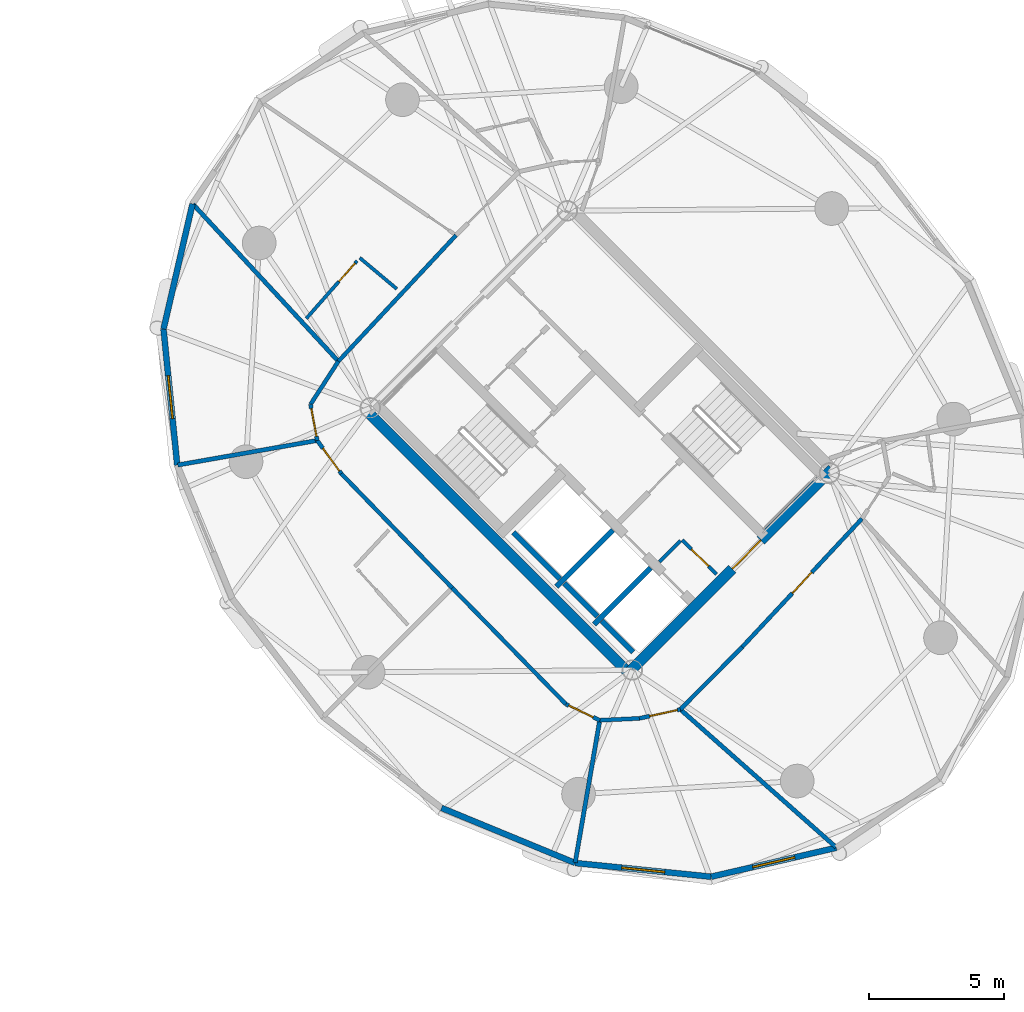
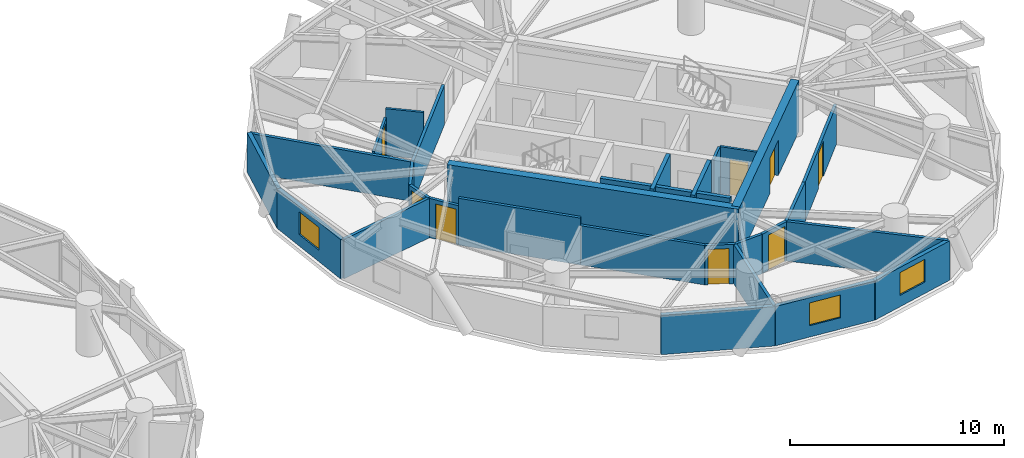
# One storey, part 13 of 18: 31 walls, 8 doors, 3 windows, 11 openings.
"""IFC4 building model written with IfcOpenShell, lengths in metres."""

from ifc_helpers import new_model, si_unit, direction, frame, frame_2d, origin, place, context, subcontext, project, spatial, rectangle, extrude, source, transform, mapped, material, layer, layer_set, type_object, element, fill, save


model = new_model("IFC4")

# Units and contexts
model_context = context("Model", 3, precision=1e-05, world=origin(), true_north=direction((0.0, 1.0)))
body_context = subcontext(model_context, "Body", "Model", "MODEL_VIEW")
ifc_project = project(units=[si_unit("LENGTHUNIT", "METRE"), si_unit("AREAUNIT", "SQUARE_METRE"), si_unit("VOLUMEUNIT", "CUBIC_METRE"), si_unit("PLANEANGLEUNIT", "RADIAN"), si_unit("MASSUNIT", "GRAM", prefix="KILO")], contexts=[model_context])

# Site, building, storey
site_placement = place(None, origin())
site = spatial("IfcSite", under=ifc_project, at=site_placement, CompositionType="ELEMENT")
building_placement = place(site_placement, origin())
building = spatial("IfcBuilding", under=site, at=building_placement, Name="Cununo Teusaquillo Station Towers", CompositionType="ELEMENT")
storey_placement = place(building_placement, frame((0.0, 0.0, 157.419921875)))
storey = spatial("IfcBuildingStorey", under=building, at=storey_placement, Name="L49", CompositionType="ELEMENT", Elevation=157.419921875)

# Walls
ifc_material_1 = material(Name="Concrete C50/60", Category="concrete")
ifc_layer_1 = layer(ifc_material_1, 0.199951171875)
ifc_layer_set_1 = layer_set([ifc_layer_1], Name="Concrete C50/60")
wall_type_1 = type_object("IfcWallType", Name="WL-CORE-200", PredefinedType="SHEAR", material=ifc_layer_set_1)
wall_1_placement = place(storey_placement, frame((55.8876953125, 19.0693359375, 0.0), z_axis=(0.0, 0.0, 1.0), x_axis=(0.707106781187, 0.707106781187, 0.0)))
element("IfcWall", 1, at=wall_1_placement, inside=storey, type_object=wall_type_1, Name="L49 Tower B Firefighting Lift Shaft South Shear Wall", PredefinedType="SHEAR", context=body_context, shape_type="SweptSolid", body=[
    extrude(rectangle(XDim=2.969970703125, YDim=0.199951171875, at=frame_2d((1.48486328125, 0.0))), origin(), (0.0, 0.0, 1.0), 2.91015625),
])
wall_2_placement = place(storey_placement, frame((56.01513671875, 19.366455078125, 0.0), z_axis=(0.0, 0.0, 1.0), x_axis=(-0.707106781187, 0.707106781187, 0.0)))
element("IfcWall", 2, at=wall_2_placement, inside=storey, type_object=wall_type_1, Name="L49 Tower B Firefighting Lift Shaft Rear Shear Wall", PredefinedType="SHEAR", context=body_context, shape_type="SweptSolid", body=[
    extrude(rectangle(XDim=2.43994140625, YDim=0.199951171875, at=frame_2d((1.219970703125, 0.0))), origin(), (0.0, 0.0, 1.0), 2.91015625),
])
wall_3_placement = place(storey_placement, frame((57.2841796875, 17.6728515625, 0.0), z_axis=(0.0, 0.0, 1.0), x_axis=(0.707147878904, 0.70706568108, 0.0)))
element("IfcWall", 3, at=wall_3_placement, inside=storey, type_object=wall_type_1, Name="L49 Tower B High-Rise Lift Hoistway Divider Shear Wall", PredefinedType="SHEAR", context=body_context, shape_type="SweptSolid", body=[
    extrude(rectangle(XDim=2.97021484375, YDim=0.199951171875, at=frame_2d((1.485107421875, 0.0))), origin(), (0.0, 0.0, 1.0), 2.91015625),
])
wall_4_placement = place(storey_placement, frame((57.41162109375, 17.969970703125, 0.0), z_axis=(0.0, 0.0, 1.0), x_axis=(-0.707106781187, 0.707106781187, 0.0)))
element("IfcWall", 4, at=wall_4_placement, inside=storey, type_object=wall_type_1, Name="L49 Tower B High-Rise Lift 2 Shaft Rear Shear Wall", PredefinedType="SHEAR", context=body_context, shape_type="SweptSolid", body=[
    extrude(rectangle(XDim=1.73486328125, YDim=0.199951171875, at=frame_2d((0.867431640625, 0.0))), origin(), (0.0, 0.0, 1.0), 2.91015625),
])
wall_5_placement = place(storey_placement, frame((58.7373046875, 16.64404296875, 0.0), z_axis=(0.0, 0.0, 1.0), x_axis=(-0.707032117043, 0.707181437447, 0.0)))
element("IfcWall", 5, at=wall_5_placement, inside=storey, type_object=wall_type_1, Name="L49 Tower B High-Rise Lift 1 Shaft Rear Shear Wall", PredefinedType="SHEAR", context=body_context, shape_type="SweptSolid", body=[
    extrude(rectangle(XDim=1.635009765625, YDim=0.199951171875, at=frame_2d((0.8173828125, 0.0))), origin(), (0.0, 0.0, 1.0), 2.91015625),
])
ifc_material_2 = material(Name="Concrete C50/60", Category="concrete")
ifc_layer_2 = layer(ifc_material_2, 0.39990234375)
ifc_layer_set_2 = layer_set([ifc_layer_2], Name="Concrete C50/60")
wall_type_2 = type_object("IfcWallType", Name="WL-CORE-400", PredefinedType="SHEAR", material=ifc_layer_set_2)
wall_6_placement = place(storey_placement, frame((58.7021484375, 15.73193359375, 0.0), z_axis=(0.0, 0.0, 1.0), x_axis=(-0.707106781187, 0.707106781187, 0.0)))
element("IfcWall", 6, at=wall_6_placement, inside=storey, type_object=wall_type_2, Name="L49 Tower B Core Shear Wall W", PredefinedType="SHEAR", context=body_context, shape_type="SweptSolid", body=[
    extrude(rectangle(XDim=14.10009765625, YDim=0.39990234375, at=frame_2d((7.050048828125, 0.0))), origin(), (0.0, 0.0, 1.0), 2.91015625),
])

# Wall, opening, door
wall_7_placement = place(storey_placement, frame((58.560791015625, 15.873291015625, 0.0), z_axis=(0.0, 0.0, 1.0), x_axis=(0.707106781187, 0.707106781187, 0.0)))
wall_7 = element("IfcWall", 7, at=wall_7_placement, inside=storey, type_object=wall_type_2, Name="L49 Tower B Core Shear Wall S", PredefinedType="SHEAR", context=body_context, shape_type="SweptSolid", body=[
    extrude(rectangle(XDim=10.69970703125, YDim=0.39990234375, at=frame_2d((5.349853515625, 0.0))), origin(), (0.0, 0.0, 1.0), 2.91015625),
])
shared_shape_1 = source(origin(), body_context, "Body", "SweptSolid", [
    extrude(rectangle(XDim=1.5, YDim=2.02001953125, at=frame_2d((0.75, 1.010009765625))), frame((0.0, 0.2099609375, 0.0), z_axis=(0.0, -1.0, 0.0), x_axis=(1.0, 0.0, 0.0)), (0.0, 0.0, 1.0), 0.419921875),
])
opening_1_placement = place(wall_7_placement, frame((5.449951171875, 0.0, 0.0)))
opening_1 = element("IfcOpeningElement", 8, at=opening_1_placement, cuts=wall_7, Name="Opening D-LB1", PredefinedType="OPENING", context=body_context, shape_type="MappedRepresentation", body=[
    mapped(shared_shape_1, transform((0.0, 0.0, 0.0), x_axis=(1.0, 0.0, 0.0), y_axis=(0.0, 1.0, 0.0), z_axis=(0.0, 0.0, 1.0), scale=1.0)),
])
ifc_material_3 = material(Name="Galvanised fire-rated hollow steel door assembly", Category="steel")
door_type_1 = type_object("IfcDoorType", Name="DR-LOBBY-1500", OperationType="DOUBLE_DOOR_SINGLE_SWING", PredefinedType="DOOR", material=ifc_material_3)
shared_shape_2 = source(origin(), body_context, "Body", "SweptSolid", [
    extrude(rectangle(XDim=1.5, YDim=2.02001953125, at=frame_2d((0.75, 1.010009765625))), frame((0.0, 0.02490234375, 0.0), z_axis=(0.0, -1.0, 0.0), x_axis=(1.0, 0.0, 0.0)), (0.0, 0.0, 1.0), 0.050048828125),
])
door_1_placement = place(opening_1_placement, origin())
door_1 = element("IfcDoor", 9, at=door_1_placement, inside=storey, type_object=door_type_1, Name="L49 Tower B South Core Lift Lobby Door", OperationType="DOUBLE_DOOR_SINGLE_SWING", OverallHeight=2.02001953125, OverallWidth=1.5, PredefinedType="DOOR", context=body_context, shape_type="MappedRepresentation", body=[
    mapped(shared_shape_2, transform((0.0, 0.0, 0.0), x_axis=(1.0, 0.0, 0.0), y_axis=(0.0, 1.0, 0.0), z_axis=(0.0, 0.0, 1.0), scale=1.0)),
])
fill(opening_1, door_1)

# Wall
ifc_material_4 = material(Name="Precast concrete C40/50", Category="concrete")
ifc_layer_3 = layer(ifc_material_4, 0.219970703125)
ifc_layer_set_3 = layer_set([ifc_layer_3], Name="Precast concrete C40/50")
wall_type_3 = type_object("IfcWallType", Name="WL-EXT-220", PredefinedType="SOLIDWALL", material=ifc_layer_set_3)
wall_8_placement = place(storey_placement, frame((41.3017578125, 28.6328125, 0.0), z_axis=(0.0, 0.0, 1.0), x_axis=(0.225659540039, 0.974206226622, 0.0)))
element("IfcWall", 10, at=wall_8_placement, inside=storey, type_object=wall_type_3, Name="L49 Tower B Exterior Facade Wall C06", PredefinedType="SOLIDWALL", context=body_context, shape_type="SweptSolid", body=[
    extrude(rectangle(XDim=4.76904296875, YDim=0.219970703125, at=frame_2d((2.384521484375, 0.0))), origin(), (0.0, 0.0, 1.0), 2.2451171875),
])

# Wall, opening, window
wall_9_placement = place(storey_placement, frame((41.810791015625, 23.582275390625, 0.0), z_axis=(0.0, 0.0, 1.0), x_axis=(-0.100279889424, 0.994959267396, 0.0)))
wall_9 = element("IfcWall", 11, at=wall_9_placement, inside=storey, type_object=wall_type_3, Name="L49 Tower B Exterior Facade Wall C07", PredefinedType="SOLIDWALL", context=body_context, shape_type="SweptSolid", body=[
    extrude(rectangle(XDim=5.076171875, YDim=0.219970703125, at=frame_2d((2.5380859375, 0.0))), origin(), (0.0, 0.0, 1.0), 2.2451171875),
])
shared_shape_3 = source(origin(), body_context, "Body", "SweptSolid", [
    extrude(rectangle(XDim=1.60009765625, YDim=1.300048828125, at=frame_2d((0.800048828125, 0.64990234375))), frame((0.0, 0.119873046875, 0.0), z_axis=(0.0, -1.0, 0.0), x_axis=(1.0, 0.0, 0.0)), (0.0, 0.0, 1.0), 0.239990234375),
])
opening_2_placement = place(wall_9_placement, frame((1.738037109375, 0.0, 0.64990234375)))
opening_2 = element("IfcOpeningElement", 12, at=opening_2_placement, cuts=wall_9, Name="Opening WN-03", PredefinedType="OPENING", context=body_context, shape_type="MappedRepresentation", body=[
    mapped(shared_shape_3, transform((0.0, 0.0, 0.0), x_axis=(1.0, 0.0, 0.0), y_axis=(0.0, 1.0, 0.0), z_axis=(0.0, 0.0, 1.0), scale=1.0)),
])
ifc_material_5 = material(Name="Ceramic-fritted dark low-E double glazing", Category="glass")
window_type = type_object("IfcWindowType", Name="WIN-CORN-1600", PartitioningType="SINGLE_PANEL", PredefinedType="WINDOW", material=ifc_material_5)
shared_shape_4 = source(origin(), body_context, "Body", "SweptSolid", [
    extrude(rectangle(XDim=1.60009765625, YDim=1.300048828125, at=frame_2d((0.800048828125, 0.64990234375))), frame((0.0, 0.030029296875, 0.0), z_axis=(0.0, -1.0, 0.0), x_axis=(1.0, 0.0, 0.0)), (0.0, 0.0, 1.0), 0.06005859375),
])
window_1_placement = place(opening_2_placement, origin())
window_1 = element("IfcWindow", 13, at=window_1_placement, inside=storey, type_object=window_type, Name="L49 Tower B Facade Window C07", OverallHeight=1.300048828125, OverallWidth=1.60009765625, PartitioningType="SINGLE_PANEL", PredefinedType="WINDOW", context=body_context, shape_type="MappedRepresentation", body=[
    mapped(shared_shape_4, transform((0.0, 0.0, 0.0), x_axis=(1.0, 0.0, 0.0), y_axis=(0.0, 1.0, 0.0), z_axis=(0.0, 0.0, 1.0), scale=1.0)),
])
fill(opening_2, window_1)

# Wall
wall_10_placement = place(storey_placement, frame((56.582275390625, 8.810791015625, 0.0), z_axis=(0.0, 0.0, 1.0), x_axis=(-0.924528197738, 0.38111364655, 0.0)))
element("IfcWall", 14, at=wall_10_placement, inside=storey, type_object=wall_type_3, Name="L49 Tower B Exterior Facade Wall C11", PredefinedType="SOLIDWALL", context=body_context, shape_type="SweptSolid", body=[
    extrude(rectangle(XDim=5.36572265625, YDim=0.219970703125, at=frame_2d((2.682861328125, 0.0))), origin(), (0.0, 0.0, 1.0), 2.2451171875),
])

# Wall, opening, window
wall_11_placement = place(storey_placement, frame((61.6328125, 8.3017578125, 0.0), z_axis=(0.0, 0.0, 1.0), x_axis=(-0.994959267396, 0.100279889424, 0.0)))
wall_11 = element("IfcWall", 15, at=wall_11_placement, inside=storey, type_object=wall_type_3, Name="L49 Tower B Exterior Facade Wall C12", PredefinedType="SOLIDWALL", context=body_context, shape_type="SweptSolid", body=[
    extrude(rectangle(XDim=5.076171875, YDim=0.219970703125, at=frame_2d((2.5380859375, 0.0))), origin(), (0.0, 0.0, 1.0), 2.2451171875),
])
opening_3_placement = place(wall_11_placement, frame((1.738037109375, 0.0, 0.64990234375)))
opening_3 = element("IfcOpeningElement", 16, at=opening_3_placement, cuts=wall_11, Name="Opening WN-03", PredefinedType="OPENING", context=body_context, shape_type="MappedRepresentation", body=[
    mapped(shared_shape_3, transform((0.0, 0.0, 0.0), x_axis=(1.0, 0.0, 0.0), y_axis=(0.0, 1.0, 0.0), z_axis=(0.0, 0.0, 1.0), scale=1.0)),
])
window_2_placement = place(opening_3_placement, origin())
window_2 = element("IfcWindow", 17, at=window_2_placement, inside=storey, type_object=window_type, Name="L49 Tower B Facade Window C12", OverallHeight=1.300048828125, OverallWidth=1.60009765625, PartitioningType="SINGLE_PANEL", PredefinedType="WINDOW", context=body_context, shape_type="MappedRepresentation", body=[
    mapped(shared_shape_4, transform((0.0, 0.0, 0.0), x_axis=(1.0, 0.0, 0.0), y_axis=(0.0, 1.0, 0.0), z_axis=(0.0, 0.0, 1.0), scale=1.0)),
])
fill(opening_3, window_2)

wall_12_placement = place(storey_placement, frame((66.27880859375, 9.3779296875, 0.0), z_axis=(0.0, 0.0, 1.0), x_axis=(-0.974206226622, -0.225659540039, 0.0)))
wall_12 = element("IfcWall", 18, at=wall_12_placement, inside=storey, type_object=wall_type_3, Name="L49 Tower B Exterior Facade Wall C13", PredefinedType="SOLIDWALL", context=body_context, shape_type="SweptSolid", body=[
    extrude(rectangle(XDim=4.76904296875, YDim=0.219970703125, at=frame_2d((2.384521484375, 0.0))), origin(), (0.0, 0.0, 1.0), 2.2451171875),
])
opening_4_placement = place(wall_12_placement, frame((1.5849609375, 0.0, 0.64990234375)))
opening_4 = element("IfcOpeningElement", 19, at=opening_4_placement, cuts=wall_12, Name="Opening WN-03", PredefinedType="OPENING", context=body_context, shape_type="MappedRepresentation", body=[
    mapped(shared_shape_3, transform((0.0, 0.0, 0.0), x_axis=(1.0, 0.0, 0.0), y_axis=(0.0, 1.0, 0.0), z_axis=(0.0, 0.0, 1.0), scale=1.0)),
])
window_3_placement = place(opening_4_placement, origin())
window_3 = element("IfcWindow", 20, at=window_3_placement, inside=storey, type_object=window_type, Name="L49 Tower B Facade Window C13", OverallHeight=1.300048828125, OverallWidth=1.60009765625, PartitioningType="SINGLE_PANEL", PredefinedType="WINDOW", context=body_context, shape_type="MappedRepresentation", body=[
    mapped(shared_shape_4, transform((0.0, 0.0, 0.0), x_axis=(1.0, 0.0, 0.0), y_axis=(0.0, 1.0, 0.0), z_axis=(0.0, 0.0, 1.0), scale=1.0)),
])
fill(opening_4, window_3)

# Wall, opening, door
ifc_material_6 = material(Name="Fire-rated gypsum plasterboard partition assembly", Category="gypsum")
ifc_layer_4 = layer(ifc_material_6, 0.125)
ifc_layer_set_4 = layer_set([ifc_layer_4], Name="Fire-rated gypsum plasterboard partition assembly")
wall_type_4 = type_object("IfcWallType", Name="WL-PART-125", PredefinedType="PARTITIONING", material=ifc_layer_set_4)
wall_13_placement = place(storey_placement, frame((61.834716796875, 19.529052734375, 0.0), z_axis=(0.0, 0.0, 1.0), x_axis=(-0.707174592913, 0.707038962956, 0.0)))
wall_13 = element("IfcWall", 21, at=wall_13_placement, inside=storey, type_object=wall_type_4, Name="L49 Tower B South-West Compact Store East Wall", PredefinedType="PARTITIONING", context=body_context, shape_type="SweptSolid", body=[
    extrude(rectangle(XDim=1.800048828125, YDim=0.125, at=frame_2d((0.89990234375, 0.0))), origin(), (0.0, 0.0, 1.0), 2.675048828125),
])
shared_shape_5 = source(origin(), body_context, "Body", "SweptSolid", [
    extrude(rectangle(XDim=0.89990234375, YDim=2.0048828125, at=frame_2d((0.449951171875, 1.00244140625))), frame((0.0, 0.072509765625, 0.0), z_axis=(0.0, -1.0, 0.0), x_axis=(1.0, 0.0, 0.0)), (0.0, 0.0, 1.0), 0.14501953125),
])
opening_5_placement = place(wall_13_placement, frame((0.419921875, 0.0, 0.0)))
opening_5 = element("IfcOpeningElement", 22, at=opening_5_placement, cuts=wall_13, Name="Opening D-SR1", PredefinedType="OPENING", context=body_context, shape_type="MappedRepresentation", body=[
    mapped(shared_shape_5, transform((0.0, 0.0, 0.0), x_axis=(1.0, 0.0, 0.0), y_axis=(0.0, 1.0, 0.0), z_axis=(0.0, 0.0, 1.0), scale=1.0)),
])
ifc_material_7 = material(Name="Galvanised fire-rated hollow steel door assembly", Category="steel")
door_type_2 = type_object("IfcDoorType", Name="DR-STORE-900", OperationType="NOTDEFINED", PredefinedType="DOOR", material=ifc_material_7)
shared_shape_6 = source(origin(), body_context, "Body", "SweptSolid", [
    extrude(rectangle(XDim=0.89990234375, YDim=2.0048828125, at=frame_2d((0.449951171875, 1.00244140625))), frame((0.0, 0.02490234375, 0.0), z_axis=(0.0, -1.0, 0.0), x_axis=(1.0, 0.0, 0.0)), (0.0, 0.0, 1.0), 0.050048828125),
])
door_2_placement = place(opening_5_placement, origin())
door_2 = element("IfcDoor", 23, at=door_2_placement, inside=storey, type_object=door_type_2, Name="L49 Tower B Core Electrical & Comms Store Door", OperationType="SINGLE_SWING_RIGHT", OverallHeight=2.0048828125, OverallWidth=0.89990234375, PredefinedType="DOOR", context=body_context, shape_type="MappedRepresentation", body=[
    mapped(shared_shape_6, transform((0.0, 0.0, 0.0), x_axis=(1.0, 0.0, 0.0), y_axis=(0.0, 1.0, 0.0), z_axis=(0.0, 0.0, 1.0), scale=1.0)),
])
fill(opening_5, door_2)

# Walls
wall_14_placement = place(storey_placement, frame((59.713134765625, 19.99560546875, 0.0), z_axis=(0.0, 0.0, 1.0), x_axis=(0.707217726, 0.706995818963, 0.0)))
element("IfcWall", 24, at=wall_14_placement, inside=storey, type_object=wall_type_4, Name="L49 Tower B South-West Compact Store North Wall", PredefinedType="PARTITIONING", context=body_context, shape_type="SweptSolid", body=[
    extrude(rectangle(XDim=1.10009765625, YDim=0.125, at=frame_2d((0.550048828125, 0.0))), origin(), (0.0, 0.0, 1.0), 2.675048828125),
])
wall_15_placement = place(storey_placement, frame((49.961181640625, 30.1240234375, 0.0), z_axis=(0.0, 0.0, 1.0), x_axis=(-0.766210982885, 0.64258908309, 0.0)))
element("IfcWall", 25, at=wall_15_placement, inside=storey, type_object=wall_type_4, Name="L49 Tower B S02 En-suite Side Wall", PredefinedType="PARTITIONING", context=body_context, shape_type="SweptSolid", body=[
    extrude(rectangle(XDim=1.795166015625, YDim=0.125, at=frame_2d((0.8974609375, 0.0))), origin(), (0.0, 0.0, 1.0), 2.675048828125),
])

# Wall, opening, door
wall_16_placement = place(storey_placement, frame((48.487548828125, 31.166015625, 0.0), z_axis=(0.0, 0.0, 1.0), x_axis=(-0.660635615229, -0.750706722956, 0.0)))
wall_16 = element("IfcWall", 26, at=wall_16_placement, inside=storey, type_object=wall_type_4, Name="L49 Tower B S02 En-suite Back Wall", PredefinedType="PARTITIONING", context=body_context, shape_type="SweptSolid", body=[
    extrude(rectangle(XDim=2.8515625, YDim=0.125, at=frame_2d((1.42578125, 0.0))), origin(), (0.0, 0.0, 1.0), 2.2451171875),
])
opening_6_placement = place(wall_16_placement, frame((0.1201171875, 0.0, 0.0)))
opening_6 = element("IfcOpeningElement", 27, at=opening_6_placement, cuts=wall_16, Name="Opening D-IN1", PredefinedType="OPENING", context=body_context, shape_type="MappedRepresentation", body=[
    mapped(shared_shape_5, transform((0.0, 0.0, 0.0), x_axis=(1.0, 0.0, 0.0), y_axis=(0.0, 1.0, 0.0), z_axis=(0.0, 0.0, 1.0), scale=1.0)),
])
ifc_material_8 = material(Name="Acoustic solid-core hardwood leaf assembly", Category="wood")
door_type_3 = type_object("IfcDoorType", Name="DR-INT-900", OperationType="NOTDEFINED", PredefinedType="DOOR", material=ifc_material_8)
door_3_placement = place(opening_6_placement, origin())
door_3 = element("IfcDoor", 28, at=door_3_placement, inside=storey, type_object=door_type_3, Name="L49 Tower B S02 En-suite Bathroom Door", OperationType="SINGLE_SWING_LEFT", OverallHeight=2.0048828125, OverallWidth=0.89990234375, PredefinedType="DOOR", context=body_context, shape_type="MappedRepresentation", body=[
    mapped(shared_shape_6, transform((0.0, 0.0, 0.0), x_axis=(1.0, 0.0, 0.0), y_axis=(0.0, 1.0, 0.0), z_axis=(0.0, 0.0, 1.0), scale=1.0)),
])
fill(opening_6, door_3)

# Walls
ifc_material_9 = material(Name="Fire-rated gypsum plasterboard partition assembly", Category="gypsum")
ifc_layer_5 = layer(ifc_material_9, 0.14990234375)
ifc_layer_set_5 = layer_set([ifc_layer_5], Name="Fire-rated gypsum plasterboard partition assembly")
wall_type_5 = type_object("IfcWallType", Name="WL-PART-150", PredefinedType="PARTITIONING", material=ifc_layer_set_5)
wall_17_placement = place(storey_placement, frame((52.163330078125, 32.11669921875, 0.0), z_axis=(0.0, 0.0, 1.0), x_axis=(-0.682485296115, -0.730899323154, 0.0)))
element("IfcWall", 29, at=wall_17_placement, inside=storey, type_object=wall_type_5, Name="L49 Tower B Corridor Ring Wall C05", PredefinedType="PARTITIONING", context=body_context, shape_type="SweptSolid", body=[
    extrude(rectangle(XDim=6.404296875, YDim=0.14990234375, at=frame_2d((3.2021484375, 0.0))), origin(), (0.0, 0.0, 1.0), 2.2451171875),
])
wall_18_placement = place(storey_placement, frame((47.79248046875, 27.435791015625, 0.0), z_axis=(0.0, 0.0, 1.0), x_axis=(-0.543086162542, -0.839676973637, 0.0)))
element("IfcWall", 30, at=wall_18_placement, inside=storey, type_object=wall_type_5, Name="L49 Tower B Corridor Ring Wall C06", PredefinedType="PARTITIONING", context=body_context, shape_type="SweptSolid", body=[
    extrude(rectangle(XDim=1.900634765625, YDim=0.14990234375, at=frame_2d((0.9501953125, 0.0))), origin(), (0.0, 0.0, 1.0), 2.2451171875),
])

# Wall, opening, door
wall_19_placement = place(storey_placement, frame((46.76025390625, 25.83984375, 0.0), z_axis=(0.0, 0.0, 1.0), x_axis=(0.181230731673, -0.983440604153, 0.0)))
wall_19 = element("IfcWall", 31, at=wall_19_placement, inside=storey, type_object=wall_type_5, Name="L49 Tower B Corridor Ring Wall C07", PredefinedType="PARTITIONING", context=body_context, shape_type="SweptSolid", body=[
    extrude(rectangle(XDim=1.36474609375, YDim=0.14990234375, at=frame_2d((0.682373046875, 0.0))), origin(), (0.0, 0.0, 1.0), 2.2451171875),
])
shared_shape_7 = source(origin(), body_context, "Body", "SweptSolid", [
    extrude(rectangle(XDim=1.050048828125, YDim=2.014892578125, at=frame_2d((0.52490234375, 1.00732421875))), frame((0.0, 0.0849609375, 0.0), z_axis=(0.0, -1.0, 0.0), x_axis=(1.0, 0.0, 0.0)), (0.0, 0.0, 1.0), 0.169921875),
])
opening_7_placement = place(wall_19_placement, frame((0.1572265625, 0.0, 0.0)))
opening_7 = element("IfcOpeningElement", 32, at=opening_7_placement, cuts=wall_19, Name="Opening D-SU1", PredefinedType="OPENING", context=body_context, shape_type="MappedRepresentation", body=[
    mapped(shared_shape_7, transform((0.0, 0.0, 0.0), x_axis=(1.0, 0.0, 0.0), y_axis=(0.0, 1.0, 0.0), z_axis=(0.0, 0.0, 1.0), scale=1.0)),
])
ifc_material_10 = material(Name="Acoustic solid-core hardwood leaf assembly", Category="wood")
door_type_4 = type_object("IfcDoorType", Name="DR-SUITE-1050", OperationType="NOTDEFINED", PredefinedType="DOOR", material=ifc_material_10)
shared_shape_8 = source(origin(), body_context, "Body", "SweptSolid", [
    extrude(rectangle(XDim=1.050048828125, YDim=2.014892578125, at=frame_2d((0.52490234375, 1.00732421875))), frame((0.0, 0.02490234375, 0.0), z_axis=(0.0, -1.0, 0.0), x_axis=(1.0, 0.0, 0.0)), (0.0, 0.0, 1.0), 0.050048828125),
])
door_4_placement = place(opening_7_placement, origin())
door_4 = element("IfcDoor", 33, at=door_4_placement, inside=storey, type_object=door_type_4, Name="L49 Tower B Sky Sommelier Lounge Entrance Door", OperationType="SINGLE_SWING_RIGHT", OverallHeight=2.014892578125, OverallWidth=1.050048828125, PredefinedType="DOOR", context=body_context, shape_type="MappedRepresentation", body=[
    mapped(shared_shape_8, transform((0.0, 0.0, 0.0), x_axis=(1.0, 0.0, 0.0), y_axis=(0.0, 1.0, 0.0), z_axis=(0.0, 0.0, 1.0), scale=1.0)),
])
fill(opening_7, door_4)

wall_20_placement = place(storey_placement, frame((47.007568359375, 24.497802734375, 0.0), z_axis=(0.0, 0.0, 1.0), x_axis=(0.586941299514, -0.809629489906, 0.0)))
wall_20 = element("IfcWall", 34, at=wall_20_placement, inside=storey, type_object=wall_type_5, Name="L49 Tower B Corridor Ring Wall C08", PredefinedType="PARTITIONING", context=body_context, shape_type="SweptSolid", body=[
    extrude(rectangle(XDim=1.522705078125, YDim=0.14990234375, at=frame_2d((0.76123046875, 0.0))), origin(), (0.0, 0.0, 1.0), 2.2451171875),
])
opening_8_placement = place(wall_20_placement, frame((0.352783203125, 0.0, 0.0)))
opening_8 = element("IfcOpeningElement", 35, at=opening_8_placement, cuts=wall_20, Name="Opening D-SU1", PredefinedType="OPENING", context=body_context, shape_type="MappedRepresentation", body=[
    mapped(shared_shape_7, transform((0.0, 0.0, 0.0), x_axis=(1.0, 0.0, 0.0), y_axis=(0.0, 1.0, 0.0), z_axis=(0.0, 0.0, 1.0), scale=1.0)),
])
door_5_placement = place(opening_8_placement, origin())
door_5 = element("IfcDoor", 36, at=door_5_placement, inside=storey, type_object=door_type_4, Name="L49 Tower B Andean Crest Hotel Suite Entrance Door", OperationType="SINGLE_SWING_LEFT", OverallHeight=2.014892578125, OverallWidth=1.050048828125, PredefinedType="DOOR", context=body_context, shape_type="MappedRepresentation", body=[
    mapped(shared_shape_8, transform((0.0, 0.0, 0.0), x_axis=(1.0, 0.0, 0.0), y_axis=(0.0, 1.0, 0.0), z_axis=(0.0, 0.0, 1.0), scale=1.0)),
])
fill(opening_8, door_5)

# Walls
wall_21_placement = place(storey_placement, frame((47.9013671875, 23.264892578125, 0.0), z_axis=(0.0, 0.0, 1.0), x_axis=(0.696355965374, -0.717696572019, 0.0)))
element("IfcWall", 37, at=wall_21_placement, inside=storey, type_object=wall_type_5, Name="L49 Tower B Corridor Ring Wall C09", PredefinedType="PARTITIONING", context=body_context, shape_type="SweptSolid", body=[
    extrude(rectangle(XDim=5.91455078125, YDim=0.14990234375, at=frame_2d((2.957275390625, 0.0))), origin(), (0.0, 0.0, 1.0), 2.675048828125),
])
wall_22_placement = place(storey_placement, frame((52.02001953125, 19.02001953125, 0.0), z_axis=(0.0, 0.0, 1.0), x_axis=(0.699456449804, -0.71467522332, 0.0)))
element("IfcWall", 38, at=wall_22_placement, inside=storey, type_object=wall_type_5, Name="L49 Tower B Corridor Ring Wall C10", PredefinedType="PARTITIONING", context=body_context, shape_type="SweptSolid", body=[
    extrude(rectangle(XDim=6.03173828125, YDim=0.14990234375, at=frame_2d((3.015869140625, 0.0))), origin(), (0.0, 0.0, 1.0), 2.2451171875),
])

# Wall, opening, door
wall_23_placement = place(storey_placement, frame((56.239013671875, 14.709228515625, 0.0), z_axis=(0.0, 0.0, 1.0), x_axis=(0.902374219125, -0.430953325383, 0.0)))
wall_23 = element("IfcWall", 39, at=wall_23_placement, inside=storey, type_object=wall_type_5, Name="L49 Tower B Corridor Ring Wall C11", PredefinedType="PARTITIONING", context=body_context, shape_type="SweptSolid", body=[
    extrude(rectangle(XDim=1.3935546875, YDim=0.14990234375, at=frame_2d((0.69677734375, 0.0))), origin(), (0.0, 0.0, 1.0), 2.2451171875),
])
shared_shape_9 = source(origin(), body_context, "Body", "SweptSolid", [
    extrude(rectangle(XDim=1.0, YDim=2.014892578125, at=frame_2d((0.5, 1.00732421875))), frame((0.0, 0.0849609375, 0.0), z_axis=(0.0, -1.0, 0.0), x_axis=(1.0, 0.0, 0.0)), (0.0, 0.0, 1.0), 0.169921875),
])
opening_9_placement = place(wall_23_placement, frame((0.1201171875, 0.0, 0.0)))
opening_9 = element("IfcOpeningElement", 40, at=opening_9_placement, cuts=wall_23, Name="Opening D-AC1", PredefinedType="OPENING", context=body_context, shape_type="MappedRepresentation", body=[
    mapped(shared_shape_9, transform((0.0, 0.0, 0.0), x_axis=(1.0, 0.0, 0.0), y_axis=(0.0, 1.0, 0.0), z_axis=(0.0, 0.0, 1.0), scale=1.0)),
])
ifc_material_11 = material(Name="Acoustic solid-core hardwood leaf assembly", Category="wood")
door_type_5 = type_object("IfcDoorType", Name="DR-ACC-1000", OperationType="NOTDEFINED", PredefinedType="DOOR", material=ifc_material_11)
shared_shape_10 = source(origin(), body_context, "Body", "SweptSolid", [
    extrude(rectangle(XDim=1.0, YDim=2.014892578125, at=frame_2d((0.5, 1.00732421875))), frame((0.0, 0.02490234375, 0.0), z_axis=(0.0, -1.0, 0.0), x_axis=(1.0, 0.0, 0.0)), (0.0, 0.0, 1.0), 0.050048828125),
])
door_6_placement = place(opening_9_placement, origin())
door_6 = element("IfcDoor", 41, at=door_6_placement, inside=storey, type_object=door_type_5, Name="L49 Tower B Public Accessible Restroom WC Entrance Door", OperationType="SINGLE_SWING_LEFT", OverallHeight=2.014892578125, OverallWidth=1.0, PredefinedType="DOOR", context=body_context, shape_type="MappedRepresentation", body=[
    mapped(shared_shape_10, transform((0.0, 0.0, 0.0), x_axis=(1.0, 0.0, 0.0), y_axis=(0.0, 1.0, 0.0), z_axis=(0.0, 0.0, 1.0), scale=1.0)),
])
fill(opening_9, door_6)

# Wall
wall_24_placement = place(storey_placement, frame((57.49658203125, 14.108642578125, 0.0), z_axis=(0.0, 0.0, 1.0), x_axis=(0.998828286318, 0.048394777109, 0.0)))
element("IfcWall", 42, at=wall_24_placement, inside=storey, type_object=wall_type_5, Name="L49 Tower B Corridor Ring Wall C12", PredefinedType="PARTITIONING", context=body_context, shape_type="SweptSolid", body=[
    extrude(rectangle(XDim=1.468017578125, YDim=0.14990234375, at=frame_2d((0.73388671875, 0.0))), origin(), (0.0, 0.0, 1.0), 2.2451171875),
])

# Wall, opening, door
wall_25_placement = place(storey_placement, frame((58.962890625, 14.1796875, 0.0), z_axis=(0.0, 0.0, 1.0), x_axis=(0.976826524015, 0.214032572243, 0.0)))
wall_25 = element("IfcWall", 43, at=wall_25_placement, inside=storey, type_object=wall_type_5, Name="L49 Tower B Corridor Ring Wall C13", PredefinedType="PARTITIONING", context=body_context, shape_type="SweptSolid", body=[
    extrude(rectangle(XDim=1.5615234375, YDim=0.14990234375, at=frame_2d((0.78076171875, 0.0))), origin(), (0.0, 0.0, 1.0), 2.2451171875),
])
opening_10_placement = place(wall_25_placement, frame((0.3916015625, 0.0, 0.0)))
opening_10 = element("IfcOpeningElement", 44, at=opening_10_placement, cuts=wall_25, Name="Opening D-SU1", PredefinedType="OPENING", context=body_context, shape_type="MappedRepresentation", body=[
    mapped(shared_shape_7, transform((0.0, 0.0, 0.0), x_axis=(1.0, 0.0, 0.0), y_axis=(0.0, 1.0, 0.0), z_axis=(0.0, 0.0, 1.0), scale=1.0)),
])
door_7_placement = place(opening_10_placement, origin())
door_7 = element("IfcDoor", 45, at=door_7_placement, inside=storey, type_object=door_type_4, Name="L49 Tower B High-Altitude Tea Salon Entrance Door", OperationType="SINGLE_SWING_RIGHT", OverallHeight=2.014892578125, OverallWidth=1.050048828125, PredefinedType="DOOR", context=body_context, shape_type="MappedRepresentation", body=[
    mapped(shared_shape_8, transform((0.0, 0.0, 0.0), x_axis=(1.0, 0.0, 0.0), y_axis=(0.0, 1.0, 0.0), z_axis=(0.0, 0.0, 1.0), scale=1.0)),
])
fill(opening_10, door_7)

# Wall
wall_26_placement = place(storey_placement, frame((60.48828125, 14.513916015625, 0.0), z_axis=(0.0, 0.0, 1.0), x_axis=(0.703880260405, 0.71031864611, 0.0)))
element("IfcWall", 46, at=wall_26_placement, inside=storey, type_object=wall_type_5, Name="L49 Tower B Corridor Ring Wall C14", PredefinedType="PARTITIONING", context=body_context, shape_type="SweptSolid", body=[
    extrude(rectangle(XDim=3.260986328125, YDim=0.14990234375, at=frame_2d((1.63037109375, 0.0))), origin(), (0.0, 0.0, 1.0), 2.2451171875),
])

# Wall, opening, door
wall_27_placement = place(storey_placement, frame((62.78369140625, 16.830322265625, 0.0), z_axis=(0.0, 0.0, 1.0), x_axis=(0.682240832942, 0.731127516831, 0.0)))
wall_27 = element("IfcWall", 47, at=wall_27_placement, inside=storey, type_object=wall_type_5, Name="L49 Tower B Corridor Ring Wall C15", PredefinedType="PARTITIONING", context=body_context, shape_type="SweptSolid", body=[
    extrude(rectangle(XDim=6.51708984375, YDim=0.14990234375, at=frame_2d((3.258544921875, 0.0))), origin(), (0.0, 0.0, 1.0), 2.2451171875),
])
opening_11_placement = place(wall_27_placement, frame((2.733642578125, 0.0, 0.0)))
opening_11 = element("IfcOpeningElement", 48, at=opening_11_placement, cuts=wall_27, Name="Opening D-SU1", PredefinedType="OPENING", context=body_context, shape_type="MappedRepresentation", body=[
    mapped(shared_shape_7, transform((0.0, 0.0, 0.0), x_axis=(1.0, 0.0, 0.0), y_axis=(0.0, 1.0, 0.0), z_axis=(0.0, 0.0, 1.0), scale=1.0)),
])
door_8_placement = place(opening_11_placement, origin())
door_8 = element("IfcDoor", 49, at=door_8_placement, inside=storey, type_object=door_type_4, Name="L49 Tower B Hotel Housekeeping & Linen Pantry Entrance Door", OperationType="SINGLE_SWING_LEFT", OverallHeight=2.014892578125, OverallWidth=1.050048828125, PredefinedType="DOOR", context=body_context, shape_type="MappedRepresentation", body=[
    mapped(shared_shape_8, transform((0.0, 0.0, 0.0), x_axis=(1.0, 0.0, 0.0), y_axis=(0.0, 1.0, 0.0), z_axis=(0.0, 0.0, 1.0), scale=1.0)),
])
fill(opening_11, door_8)

# Walls
ifc_material_12 = material(Name="Fire-rated gypsum plasterboard partition assembly", Category="gypsum")
ifc_layer_6 = layer(ifc_material_12, 0.159912109375)
ifc_layer_set_6 = layer_set([ifc_layer_6], Name="Fire-rated gypsum plasterboard partition assembly")
wall_type_6 = type_object("IfcWallType", Name="WL-PART-160", PredefinedType="PARTITIONING", material=ifc_layer_set_6)
wall_28_placement = place(storey_placement, frame((47.79248046875, 27.435791015625, 0.0), z_axis=(0.0, 0.0, 1.0), x_axis=(-0.679077160958, 0.734066897132, 0.0)))
element("IfcWall", 50, at=wall_28_placement, inside=storey, type_object=wall_type_6, Name="L49 Tower B Radial Suite Partition R03", PredefinedType="PARTITIONING", context=body_context, shape_type="SweptSolid", body=[
    extrude(rectangle(XDim=7.947265625, YDim=0.159912109375, at=frame_2d((3.9736328125, 0.0))), origin(), (0.0, 0.0, 1.0), 2.2451171875),
])
wall_29_placement = place(storey_placement, frame((47.007568359375, 24.497802734375, 0.0), z_axis=(0.0, 0.0, 1.0), x_axis=(-0.984823741496, -0.173557478046, 0.0)))
element("IfcWall", 51, at=wall_29_placement, inside=storey, type_object=wall_type_6, Name="L49 Tower B Radial Suite Partition R04", PredefinedType="PARTITIONING", context=body_context, shape_type="SweptSolid", body=[
    extrude(rectangle(XDim=5.2568359375, YDim=0.159912109375, at=frame_2d((2.62841796875, 0.0))), origin(), (0.0, 0.0, 1.0), 2.2451171875),
])
wall_30_placement = place(storey_placement, frame((57.49658203125, 14.108642578125, 0.0), z_axis=(0.0, 0.0, 1.0), x_axis=(-0.170109923992, -0.985425092922, 0.0)))
element("IfcWall", 52, at=wall_30_placement, inside=storey, type_object=wall_type_6, Name="L49 Tower B Radial Suite Partition R06", PredefinedType="PARTITIONING", context=body_context, shape_type="SweptSolid", body=[
    extrude(rectangle(XDim=5.356201171875, YDim=0.159912109375, at=frame_2d((2.67822265625, 0.0))), origin(), (0.0, 0.0, 1.0), 2.2451171875),
])
wall_31_placement = place(storey_placement, frame((60.48828125, 14.513916015625, 0.0), z_axis=(0.0, 0.0, 1.0), x_axis=(0.748740614849, -0.662863101761, 0.0)))
element("IfcWall", 53, at=wall_31_placement, inside=storey, type_object=wall_type_6, Name="L49 Tower B Radial Suite Partition R07", PredefinedType="PARTITIONING", context=body_context, shape_type="SweptSolid", body=[
    extrude(rectangle(XDim=7.72119140625, YDim=0.159912109375, at=frame_2d((3.860595703125, 0.0))), origin(), (0.0, 0.0, 1.0), 2.2451171875),
])

save(model, "model.ifc")
